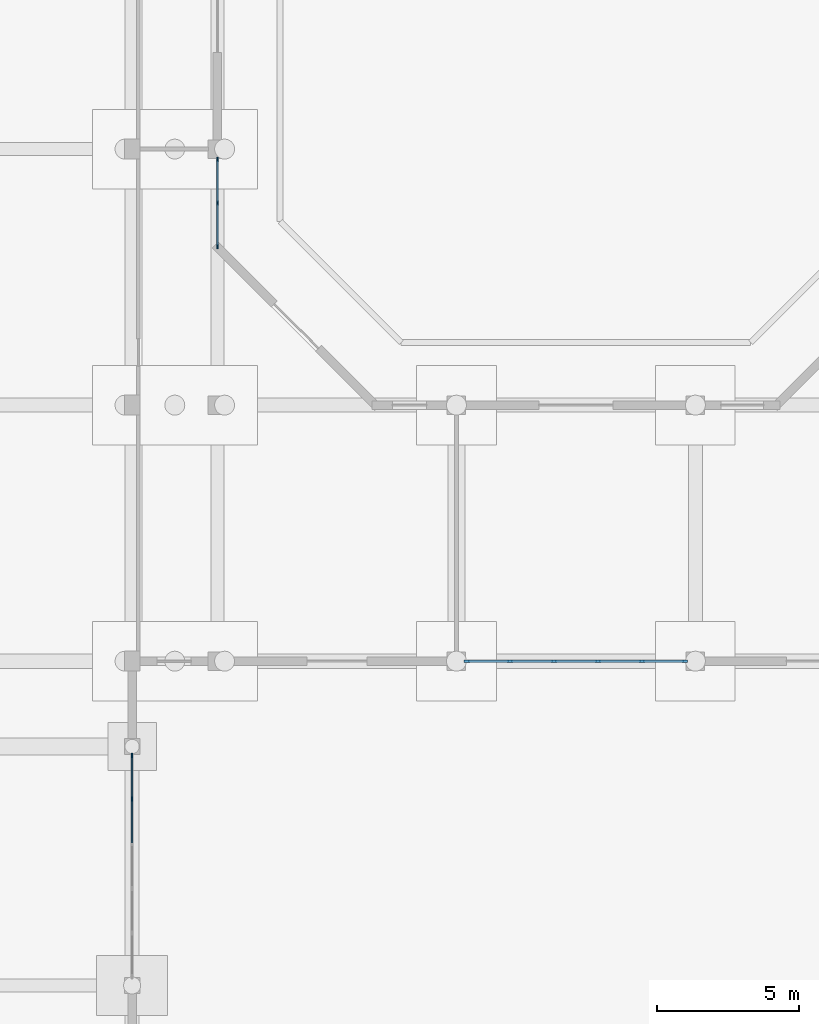
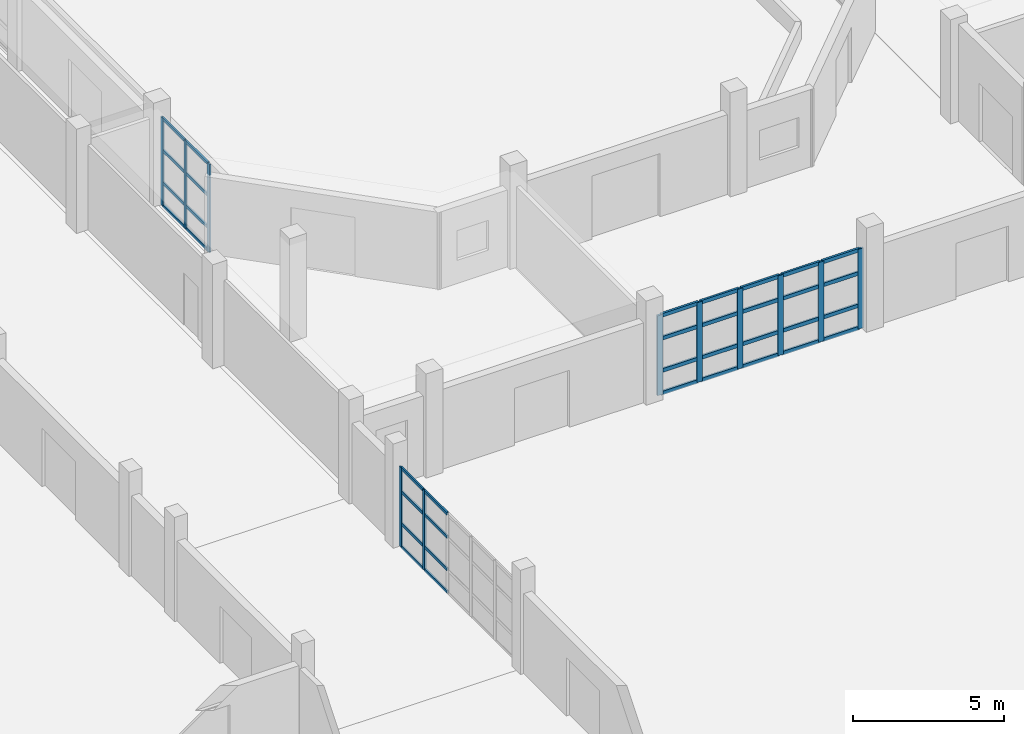
# One storey, part 18 of 88: 47 members, 3 elements without a shape of their own.
"""IFC4 building model written with IfcOpenShell, lengths in metres."""

import ifcopenshell
import ifcopenshell.guid

model = None  # the IFC model being written
_history = None  # IfcOwnerHistory: only IFC2X3 demands one
_inside = {}  # id of a spatial element -> (the spatial element, [elements in it])
_under = {}  # id of a project, library or spatial element -> (it, [spatial elements below it])
_declared = {}  # id of a project -> (the project, [libraries it declares])
_typed = {}  # id of a type object -> (the type object, [elements of that type])
_made_of = {}  # id of a material, layer set ... -> (it, [elements and type objects made of it])


def new_model(schema):
    """Start an empty IFC model of exactly this schema.

    Asked for "IFC4X3", IfcOpenShell would pick the latest addendum, in which some entities
    have other attributes; the version numbers below select the first issue.
    IFC2X3 requires an IfcOwnerHistory on every rooted entity: one is made here for all.
    """
    global model, _history
    if schema == "IFC4X3":
        model = ifcopenshell.file(schema_version=(4, 3, 0, 0))
    else:
        model = ifcopenshell.file(schema=schema)
    _inside.clear()
    _under.clear()
    _declared.clear()
    _typed.clear()
    _made_of.clear()
    _history = None
    if model.schema == "IFC2X3":
        org = make("IfcOrganization", Name="unknown")
        user = make(
            "IfcPersonAndOrganization",
            ThePerson=make("IfcPerson", FamilyName="unknown"),
            TheOrganization=org,
        )
        app = make(
            "IfcApplication",
            ApplicationDeveloper=org,
            Version="unknown",
            ApplicationFullName="unknown",
            ApplicationIdentifier="unknown",
        )
        _history = make(
            "IfcOwnerHistory",
            OwningUser=user,
            OwningApplication=app,
            ChangeAction="ADDED",
            CreationDate=0,
        )
    return model


def make(cls, **values):
    """One entity of the class cls with the attributes given. An attribute that is None is left unset."""
    return model.create_entity(
        cls, **{name: value for name, value in values.items() if value is not None}
    )


def rooted(cls, **values):
    """An entity with a GlobalId (a new one), such as an element, a storey or a relation."""
    return make(cls, GlobalId=ifcopenshell.guid.new(), OwnerHistory=_history, **values)


def si_unit(unit_type, name, prefix=None):
    """IfcSIUnit, for example si_unit("LENGTHUNIT", "METRE", prefix="MILLI")."""
    return make("IfcSIUnit", UnitType=unit_type, Prefix=prefix, Name=name)


def assignment(units):
    """IfcUnitAssignment: the units of a project."""
    return None if units is None else make("IfcUnitAssignment", Units=units)


def point(xyz):
    """IfcCartesianPoint."""
    return None if xyz is None else make("IfcCartesianPoint", Coordinates=xyz)


def direction(xyz):
    """IfcDirection."""
    return None if xyz is None else make("IfcDirection", DirectionRatios=xyz)


def frame(location, z_axis=None, x_axis=None):
    """IfcAxis2Placement3D, a coordinate frame: its origin and axes. An axis left out is left unset."""
    return make(
        "IfcAxis2Placement3D",
        Location=point(location),
        Axis=direction(z_axis),
        RefDirection=direction(x_axis),
    )


def frame_2d(location, x_axis=None):
    """IfcAxis2Placement2D, a coordinate frame in the plane: its origin and x axis."""
    return make(
        "IfcAxis2Placement2D", Location=point(location), RefDirection=direction(x_axis)
    )


def origin():
    """The frame at (0, 0, 0) with its axes left unset."""
    return frame((0.0, 0.0, 0.0))


def origin_2d():
    """The frame at (0, 0) in the plane with its x axis left unset."""
    return frame_2d((0.0, 0.0))


def place(relative_to, where):
    """IfcLocalPlacement: puts the frame where relative to a parent placement (None: the world)."""
    return make(
        "IfcLocalPlacement", PlacementRelTo=relative_to, RelativePlacement=where
    )


def context(
    kind, dimensions, precision=None, world=None, true_north=None, identifier=None
):
    """IfcGeometricRepresentationContext, for example the 3D "Model" context."""
    return make(
        "IfcGeometricRepresentationContext",
        ContextIdentifier=identifier,
        ContextType=kind,
        CoordinateSpaceDimension=dimensions,
        Precision=precision,
        WorldCoordinateSystem=world,
        TrueNorth=true_north,
    )


def subcontext(parent, identifier, kind, view, scale=None):
    """IfcGeometricRepresentationSubContext, for example "Body" below "Model"."""
    return make(
        "IfcGeometricRepresentationSubContext",
        ContextIdentifier=identifier,
        ContextType=kind,
        ParentContext=parent,
        TargetScale=scale,
        TargetView=view,
    )


def project(units=None, contexts=None):
    """IfcProject with its units and contexts."""
    return rooted(
        "IfcProject",
        Name="project",
        RepresentationContexts=contexts,
        UnitsInContext=assignment(units),
    )


def spatial(cls, under=None, at=None, **own):
    """A site, building, storey or space (cls), placed at a placement, below another one or the project."""
    s = rooted(cls, ObjectPlacement=at, **own)
    if under is not None:
        _under.setdefault(under.id(), (under, []))[1].append(s)
    return s


def profile(cls, at=None, kind="AREA", **sizes):
    """A parametric profile (cls). Its sizes go by their IFC names, for example OverallWidth=200.0."""
    return make(cls, ProfileType=kind, Position=at, **sizes)


def rectangle(**sizes):
    """IfcRectangleProfileDef."""
    return profile("IfcRectangleProfileDef", **sizes)


def extrude(swept, where, along, depth):
    """IfcExtrudedAreaSolid: the profile swept, set in the frame where, extruded along a direction by depth."""
    return make(
        "IfcExtrudedAreaSolid",
        SweptArea=swept,
        Position=where,
        ExtrudedDirection=direction(along),
        Depth=depth,
    )


def shape(context_of_items, identifier, shape_type, items):
    """IfcShapeRepresentation: the items that make up one representation, for example the "Body"."""
    return make(
        "IfcShapeRepresentation",
        ContextOfItems=context_of_items,
        RepresentationIdentifier=identifier,
        RepresentationType=shape_type,
        Items=items,
    )


def material(Name=None, Category=None):
    """IfcMaterial."""
    return make("IfcMaterial", Name=Name, Category=Category)


def material_profile(
    of_material, cross_section, Name=None, Category=None, Priority=None
):
    """IfcMaterialProfile: a cross section and its material."""
    return make(
        "IfcMaterialProfile",
        Name=Name,
        Material=of_material,
        Profile=cross_section,
        Priority=Priority,
        Category=Category,
    )


def profile_set(profiles, Name=None, composite=None):
    """IfcMaterialProfileSet."""
    return make(
        "IfcMaterialProfileSet",
        Name=Name,
        MaterialProfiles=profiles,
        CompositeProfile=composite,
    )


def made_of(thing, what):
    """Note that an element or type object is made of a material, layer set ...; save() writes the relation."""
    if what is not None:
        _made_of.setdefault(what.id(), (what, []))[1].append(thing)
    return thing


def type_object(cls, material=None, **own):
    """A type object (cls), such as IfcWallType, which elements share."""
    return made_of(rooted(cls, **own), material)


def element(
    cls,
    number,
    at=None,
    inside=None,
    cuts=None,
    type_object=None,
    material=None,
    context=None,
    identifier="Body",
    shape_type=None,
    held_by="IfcProductDefinitionShape",
    body=None,
    shapes=None,
    **own,
):
    """One element of the class cls, such as IfcWall. Its Tag is "e" and its number.

    at: its placement. inside: the storey or other place that contains it. cuts: it is an
    opening in that element (IfcRelVoidsElement). A single representation is given by context,
    identifier, shape_type and body (its items); several are given by shapes. held_by: the class
    of the entity that holds the representations. save() writes the other relations.
    """
    e = rooted(cls, Tag="e%d" % number, ObjectPlacement=at, **own)
    if body is not None:
        shapes = [shape(context, identifier, shape_type, body)]
    if shapes is not None:
        e.Representation = make(held_by, Representations=shapes)
    if inside is not None:
        _inside.setdefault(inside.id(), (inside, []))[1].append(e)
    if cuts is not None:
        rooted(
            "IfcRelVoidsElement", RelatingBuildingElement=cuts, RelatedOpeningElement=e
        )
    if type_object is not None:
        _typed.setdefault(type_object.id(), (type_object, []))[1].append(e)
    return made_of(e, material)


def aggregate(whole, parts):
    """IfcRelAggregates: a whole, such as a stair, and the parts it consists of."""
    return rooted("IfcRelAggregates", RelatingObject=whole, RelatedObjects=parts)


def save(model, path):
    """Write the relations noted so far, then the file.

    IfcRelAggregates (storeys below a building ...), IfcRelContainedInSpatialStructure (elements
    in a storey), IfcRelDefinesByType, IfcRelAssociatesMaterial and IfcRelDeclares: one each for
    every whole, place, type object, material and project.
    """
    for whole, parts in _under.values():
        aggregate(whole, parts)
    for where, things in _inside.values():
        rooted(
            "IfcRelContainedInSpatialStructure",
            RelatedElements=things,
            RelatingStructure=where,
        )
    for kind, things in _typed.values():
        rooted("IfcRelDefinesByType", RelatedObjects=things, RelatingType=kind)
    for what, things in _made_of.values():
        rooted("IfcRelAssociatesMaterial", RelatedObjects=things, RelatingMaterial=what)
    for by, libraries in _declared.values():
        rooted("IfcRelDeclares", RelatingContext=by, RelatedDefinitions=libraries)
    model.write(path)


model = new_model("IFC4")

# Units and contexts
model_context = context("Model", 3, precision=1e-05, world=origin(), true_north=direction((0.0, 1.0)))
body_context = subcontext(model_context, "Body", "Model", "MODEL_VIEW")
ifc_project = project(units=[si_unit("LENGTHUNIT", "METRE"), si_unit("AREAUNIT", "SQUARE_METRE"), si_unit("VOLUMEUNIT", "CUBIC_METRE"), si_unit("PLANEANGLEUNIT", "RADIAN"), si_unit("MASSUNIT", "GRAM", prefix="KILO")], contexts=[model_context])

# Site, building, storey
site_placement = place(None, origin())
site = spatial("IfcSite", under=ifc_project, at=site_placement, CompositionType="ELEMENT")
building_placement = place(site_placement, origin())
building = spatial("IfcBuilding", under=site, at=building_placement, Name="Vanh Quang Courtyard School", CompositionType="ELEMENT")
storey_placement = place(building_placement, origin())
storey = spatial("IfcBuildingStorey", under=building, at=storey_placement, Name="L00", CompositionType="ELEMENT", Elevation=0.0)

# Curtain wall, members
ifc_material_1 = material(Name="Thermally broken aluminium unitised curtain wall", Category="aluminium")
curtain_wall_type_1 = type_object("IfcCurtainWallType", Name="CW-SYS-01", PredefinedType="NOTDEFINED", material=ifc_material_1)
curtain_wall_1_placement = place(storey_placement, origin())
curtain_wall_1 = element("IfcCurtainWall", 1, at=curtain_wall_1_placement, inside=storey, type_object=curtain_wall_type_1, Name="Curtain Wall CW-01 (L00)", PredefinedType="NOTDEFINED")
ifc_material_2 = material(Name="Anodised aluminium 6063-T6", Category="aluminium")
ifc_material_profile_1 = material_profile(ifc_material_2, rectangle(XDim=0.06005859375, YDim=0.159912109375, at=origin_2d()), Name="ALU-MUL 60x160")
ifc_profile_set_1 = profile_set([ifc_material_profile_1], Name="Anodised aluminium 6063-T6")
member_type_1 = type_object("IfcMemberType", Name="CW-MUL-60x160", PredefinedType="MULLION", material=ifc_profile_set_1)
member_1_placement = place(storey_placement, frame((37.800048828125, 29.0869140625, 0.0), z_axis=(0.0, 0.0, 1.0), x_axis=(1.0, 0.0, 0.0)))
member_1 = element("IfcMember", 2, at=member_1_placement, type_object=member_type_1, Name="CW-01 mullion 1", PredefinedType="MULLION", context=body_context, shape_type="SweptSolid", body=[
    extrude(rectangle(XDim=0.06005859375, YDim=0.159912109375, at=origin_2d()), origin(), (0.0, 0.0, 1.0), 3.219970703125),
])
member_2_placement = place(storey_placement, frame((37.800048828125, 27.55029296875, 0.0), z_axis=(0.0, 0.0, 1.0), x_axis=(1.0, 0.0, 0.0)))
member_2 = element("IfcMember", 3, at=member_2_placement, type_object=member_type_1, Name="CW-01 mullion 2", PredefinedType="MULLION", context=body_context, shape_type="SweptSolid", body=[
    extrude(rectangle(XDim=0.06005859375, YDim=0.159912109375, at=origin_2d()), origin(), (0.0, 0.0, 1.0), 3.219970703125),
])

curtain_wall_type_2 = type_object("IfcCurtainWallType", Name="CW-SYS-16", PredefinedType="NOTDEFINED", material=ifc_material_1)
curtain_wall_2_placement = place(storey_placement, origin())
curtain_wall_2 = element("IfcCurtainWall", 4, at=curtain_wall_2_placement, inside=storey, type_object=curtain_wall_type_2, Name="Curtain Wall CW-16 (L00)", PredefinedType="NOTDEFINED")
member_3_placement = place(storey_placement, frame((40.800048828125, 50.037109375, 0.0), z_axis=(0.0, 0.0, 1.0), x_axis=(1.0, 0.0, 0.0)))
member_3 = element("IfcMember", 5, at=member_3_placement, type_object=member_type_1, Name="CW-16 mullion 1", PredefinedType="MULLION", context=body_context, shape_type="SweptSolid", body=[
    extrude(rectangle(XDim=0.06005859375, YDim=0.159912109375, at=origin_2d()), origin(), (0.0, 0.0, 1.0), 3.56005859375),
])
member_4_placement = place(storey_placement, frame((40.800048828125, 48.505615234375, 0.0), z_axis=(0.0, 0.0, 1.0), x_axis=(1.0, 0.0, 0.0)))
member_4 = element("IfcMember", 6, at=member_4_placement, type_object=member_type_1, Name="CW-16 mullion 2", PredefinedType="MULLION", context=body_context, shape_type="SweptSolid", body=[
    extrude(rectangle(XDim=0.06005859375, YDim=0.159912109375, at=origin_2d()), origin(), (0.0, 0.0, 1.0), 3.56005859375),
])
member_5_placement = place(storey_placement, frame((40.800048828125, 46.97412109375, 0.0), z_axis=(0.0, 0.0, 1.0), x_axis=(1.0, 0.0, 0.0)))
member_5 = element("IfcMember", 7, at=member_5_placement, type_object=member_type_1, Name="CW-16 mullion 3", PredefinedType="MULLION", context=body_context, shape_type="SweptSolid", body=[
    extrude(rectangle(XDim=0.06005859375, YDim=0.159912109375, at=origin_2d()), origin(), (0.0, 0.0, 1.0), 3.56005859375),
])

curtain_wall_type_3 = type_object("IfcCurtainWallType", Name="CW-SYS-02", PredefinedType="NOTDEFINED", material=ifc_material_1)
curtain_wall_3_placement = place(storey_placement, origin())
curtain_wall_3 = element("IfcCurtainWall", 8, at=curtain_wall_3_placement, inside=storey, type_object=curtain_wall_type_3, Name="Curtain Wall CW-02 (L00)", PredefinedType="NOTDEFINED")
ifc_material_profile_2 = material_profile(ifc_material_2, rectangle(XDim=0.080078125, YDim=0.199951171875, at=origin_2d()), Name="ALU-MUL 80x200")
ifc_profile_set_2 = profile_set([ifc_material_profile_2], Name="Anodised aluminium 6063-T6")
member_type_2 = type_object("IfcMemberType", Name="CW-MUL-80x200", PredefinedType="MULLION", material=ifc_profile_set_2)
member_6_placement = place(storey_placement, frame((57.22705078125, 32.39990234375, 0.0), z_axis=(0.0, 0.0, 1.0), x_axis=(0.0, -1.0, 0.0)))
member_6 = element("IfcMember", 9, at=member_6_placement, type_object=member_type_2, Name="CW-02 mullion 1", PredefinedType="MULLION", context=body_context, shape_type="SweptSolid", body=[
    extrude(rectangle(XDim=0.080078125, YDim=0.199951171875, at=origin_2d()), origin(), (0.0, 0.0, 1.0), 3.219970703125),
])
member_7_placement = place(storey_placement, frame((55.72021484375, 32.39990234375, 0.0), z_axis=(0.0, 0.0, 1.0), x_axis=(0.0, -1.0, 0.0)))
member_7 = element("IfcMember", 10, at=member_7_placement, type_object=member_type_2, Name="CW-02 mullion 2", PredefinedType="MULLION", context=body_context, shape_type="SweptSolid", body=[
    extrude(rectangle(XDim=0.080078125, YDim=0.199951171875, at=origin_2d()), origin(), (0.0, 0.0, 1.0), 3.219970703125),
])
member_8_placement = place(storey_placement, frame((54.17333984375, 32.39990234375, 0.0), z_axis=(0.0, 0.0, 1.0), x_axis=(0.0, -1.0, 0.0)))
member_8 = element("IfcMember", 11, at=member_8_placement, type_object=member_type_2, Name="CW-02 mullion 3", PredefinedType="MULLION", context=body_context, shape_type="SweptSolid", body=[
    extrude(rectangle(XDim=0.080078125, YDim=0.199951171875, at=origin_2d()), origin(), (0.0, 0.0, 1.0), 3.219970703125),
])
member_9_placement = place(storey_placement, frame((52.626708984375, 32.39990234375, 0.0), z_axis=(0.0, 0.0, 1.0), x_axis=(0.0, -1.0, 0.0)))
member_9 = element("IfcMember", 12, at=member_9_placement, type_object=member_type_2, Name="CW-02 mullion 4", PredefinedType="MULLION", context=body_context, shape_type="SweptSolid", body=[
    extrude(rectangle(XDim=0.080078125, YDim=0.199951171875, at=origin_2d()), origin(), (0.0, 0.0, 1.0), 3.219970703125),
])
member_10_placement = place(storey_placement, frame((51.079833984375, 32.39990234375, 0.0), z_axis=(0.0, 0.0, 1.0), x_axis=(0.0, -1.0, 0.0)))
member_10 = element("IfcMember", 13, at=member_10_placement, type_object=member_type_2, Name="CW-02 mullion 5", PredefinedType="MULLION", context=body_context, shape_type="SweptSolid", body=[
    extrude(rectangle(XDim=0.080078125, YDim=0.199951171875, at=origin_2d()), origin(), (0.0, 0.0, 1.0), 3.219970703125),
])
member_11_placement = place(storey_placement, frame((49.572998046875, 32.39990234375, 0.0), z_axis=(0.0, 0.0, 1.0), x_axis=(0.0, -1.0, 0.0)))
member_11 = element("IfcMember", 14, at=member_11_placement, type_object=member_type_2, Name="CW-02 mullion 6", PredefinedType="MULLION", context=body_context, shape_type="SweptSolid", body=[
    extrude(rectangle(XDim=0.080078125, YDim=0.199951171875, at=origin_2d()), origin(), (0.0, 0.0, 1.0), 3.219970703125),
])

# Member
ifc_material_profile_3 = material_profile(ifc_material_2, rectangle(XDim=0.06005859375, YDim=0.1201171875, at=origin_2d()), Name="ALU-TRN 60x120")
ifc_profile_set_3 = profile_set([ifc_material_profile_3], Name="Anodised aluminium 6063-T6")
member_type_3 = type_object("IfcMemberType", Name="CW-TRN-60x120", PredefinedType="USERDEFINED", material=ifc_profile_set_3)
member_12_placement = place(storey_placement, frame((37.800048828125, 29.056884765625, 0.030029296875), z_axis=(0.0, -1.0, 0.0), x_axis=(1.0, 0.0, 0.0)))
member_12 = element("IfcMember", 15, at=member_12_placement, type_object=member_type_3, Name="CW-01 transom 1.1", ObjectType="TRANSOM", PredefinedType="USERDEFINED", context=body_context, shape_type="SweptSolid", body=[
    extrude(rectangle(XDim=0.06005859375, YDim=0.1201171875, at=origin_2d()), origin(), (0.0, 0.0, 1.0), 1.476806640625),
])

member_13_placement = place(storey_placement, frame((37.800048828125, 29.056884765625, 0.949951171875), z_axis=(0.0, -1.0, 0.0), x_axis=(1.0, 0.0, 0.0)))
member_13 = element("IfcMember", 16, at=member_13_placement, type_object=member_type_3, Name="CW-01 transom 1.2", ObjectType="TRANSOM", PredefinedType="USERDEFINED", context=body_context, shape_type="SweptSolid", body=[
    extrude(rectangle(XDim=0.06005859375, YDim=0.1201171875, at=origin_2d()), origin(), (0.0, 0.0, 1.0), 1.476806640625),
])

member_14_placement = place(storey_placement, frame((37.800048828125, 29.056884765625, 2.25), z_axis=(0.0, -1.0, 0.0), x_axis=(1.0, 0.0, 0.0)))
member_14 = element("IfcMember", 17, at=member_14_placement, type_object=member_type_3, Name="CW-01 transom 1.3", ObjectType="TRANSOM", PredefinedType="USERDEFINED", context=body_context, shape_type="SweptSolid", body=[
    extrude(rectangle(XDim=0.06005859375, YDim=0.1201171875, at=origin_2d()), origin(), (0.0, 0.0, 1.0), 1.476806640625),
])

member_15_placement = place(storey_placement, frame((37.800048828125, 29.056884765625, 3.18994140625), z_axis=(0.0, -1.0, 0.0), x_axis=(1.0, 0.0, 0.0)))
member_15 = element("IfcMember", 18, at=member_15_placement, type_object=member_type_3, Name="CW-01 transom 1.4", ObjectType="TRANSOM", PredefinedType="USERDEFINED", context=body_context, shape_type="SweptSolid", body=[
    extrude(rectangle(XDim=0.06005859375, YDim=0.1201171875, at=origin_2d()), origin(), (0.0, 0.0, 1.0), 1.476806640625),
])

member_16_placement = place(storey_placement, frame((37.800048828125, 27.520263671875, 0.030029296875), z_axis=(0.0, -1.0, 0.0), x_axis=(1.0, 0.0, 0.0)))
member_16 = element("IfcMember", 19, at=member_16_placement, type_object=member_type_3, Name="CW-01 transom 2.1", ObjectType="TRANSOM", PredefinedType="USERDEFINED", context=body_context, shape_type="SweptSolid", body=[
    extrude(rectangle(XDim=0.06005859375, YDim=0.1201171875, at=origin_2d()), origin(), (0.0, 0.0, 1.0), 1.5068359375),
])

member_17_placement = place(storey_placement, frame((37.800048828125, 27.520263671875, 0.949951171875), z_axis=(0.0, -1.0, 0.0), x_axis=(1.0, 0.0, 0.0)))
member_17 = element("IfcMember", 20, at=member_17_placement, type_object=member_type_3, Name="CW-01 transom 2.2", ObjectType="TRANSOM", PredefinedType="USERDEFINED", context=body_context, shape_type="SweptSolid", body=[
    extrude(rectangle(XDim=0.06005859375, YDim=0.1201171875, at=origin_2d()), origin(), (0.0, 0.0, 1.0), 1.5068359375),
])

member_18_placement = place(storey_placement, frame((37.800048828125, 27.520263671875, 2.25), z_axis=(0.0, -1.0, 0.0), x_axis=(1.0, 0.0, 0.0)))
member_18 = element("IfcMember", 21, at=member_18_placement, type_object=member_type_3, Name="CW-01 transom 2.3", ObjectType="TRANSOM", PredefinedType="USERDEFINED", context=body_context, shape_type="SweptSolid", body=[
    extrude(rectangle(XDim=0.06005859375, YDim=0.1201171875, at=origin_2d()), origin(), (0.0, 0.0, 1.0), 1.5068359375),
])

member_19_placement = place(storey_placement, frame((37.800048828125, 27.520263671875, 3.18994140625), z_axis=(0.0, -1.0, 0.0), x_axis=(1.0, 0.0, 0.0)))
member_19 = element("IfcMember", 22, at=member_19_placement, type_object=member_type_3, Name="CW-01 transom 2.4", ObjectType="TRANSOM", PredefinedType="USERDEFINED", context=body_context, shape_type="SweptSolid", body=[
    extrude(rectangle(XDim=0.06005859375, YDim=0.1201171875, at=origin_2d()), origin(), (0.0, 0.0, 1.0), 1.5068359375),
])

aggregate(curtain_wall_1, [member_1, member_2, member_12, member_13, member_14, member_15, member_16, member_17, member_18, member_19])

member_20_placement = place(storey_placement, frame((40.800048828125, 50.007080078125, 0.030029296875), z_axis=(0.0, -1.0, 0.0), x_axis=(1.0, 0.0, 0.0)))
member_20 = element("IfcMember", 23, at=member_20_placement, type_object=member_type_3, Name="CW-16 transom 1.1", ObjectType="TRANSOM", PredefinedType="USERDEFINED", context=body_context, shape_type="SweptSolid", body=[
    extrude(rectangle(XDim=0.06005859375, YDim=0.1201171875, at=origin_2d()), origin(), (0.0, 0.0, 1.0), 1.4716796875),
])

member_21_placement = place(storey_placement, frame((40.800048828125, 50.007080078125, 0.949951171875), z_axis=(0.0, -1.0, 0.0), x_axis=(1.0, 0.0, 0.0)))
member_21 = element("IfcMember", 24, at=member_21_placement, type_object=member_type_3, Name="CW-16 transom 1.2", ObjectType="TRANSOM", PredefinedType="USERDEFINED", context=body_context, shape_type="SweptSolid", body=[
    extrude(rectangle(XDim=0.06005859375, YDim=0.1201171875, at=origin_2d()), origin(), (0.0, 0.0, 1.0), 1.4716796875),
])

member_22_placement = place(storey_placement, frame((40.800048828125, 50.007080078125, 2.25), z_axis=(0.0, -1.0, 0.0), x_axis=(1.0, 0.0, 0.0)))
member_22 = element("IfcMember", 25, at=member_22_placement, type_object=member_type_3, Name="CW-16 transom 1.3", ObjectType="TRANSOM", PredefinedType="USERDEFINED", context=body_context, shape_type="SweptSolid", body=[
    extrude(rectangle(XDim=0.06005859375, YDim=0.1201171875, at=origin_2d()), origin(), (0.0, 0.0, 1.0), 1.4716796875),
])

member_23_placement = place(storey_placement, frame((40.800048828125, 50.007080078125, 3.530029296875), z_axis=(0.0, -1.0, 0.0), x_axis=(1.0, 0.0, 0.0)))
member_23 = element("IfcMember", 26, at=member_23_placement, type_object=member_type_3, Name="CW-16 transom 1.4", ObjectType="TRANSOM", PredefinedType="USERDEFINED", context=body_context, shape_type="SweptSolid", body=[
    extrude(rectangle(XDim=0.06005859375, YDim=0.1201171875, at=origin_2d()), origin(), (0.0, 0.0, 1.0), 1.4716796875),
])

member_24_placement = place(storey_placement, frame((40.800048828125, 48.4755859375, 0.030029296875), z_axis=(0.0, -1.0, 0.0), x_axis=(1.0, 0.0, 0.0)))
member_24 = element("IfcMember", 27, at=member_24_placement, type_object=member_type_3, Name="CW-16 transom 2.1", ObjectType="TRANSOM", PredefinedType="USERDEFINED", context=body_context, shape_type="SweptSolid", body=[
    extrude(rectangle(XDim=0.06005859375, YDim=0.1201171875, at=origin_2d()), origin(), (0.0, 0.0, 1.0), 1.4716796875),
])

member_25_placement = place(storey_placement, frame((40.800048828125, 48.4755859375, 0.949951171875), z_axis=(0.0, -1.0, 0.0), x_axis=(1.0, 0.0, 0.0)))
member_25 = element("IfcMember", 28, at=member_25_placement, type_object=member_type_3, Name="CW-16 transom 2.2", ObjectType="TRANSOM", PredefinedType="USERDEFINED", context=body_context, shape_type="SweptSolid", body=[
    extrude(rectangle(XDim=0.06005859375, YDim=0.1201171875, at=origin_2d()), origin(), (0.0, 0.0, 1.0), 1.4716796875),
])

member_26_placement = place(storey_placement, frame((40.800048828125, 48.4755859375, 2.25), z_axis=(0.0, -1.0, 0.0), x_axis=(1.0, 0.0, 0.0)))
member_26 = element("IfcMember", 29, at=member_26_placement, type_object=member_type_3, Name="CW-16 transom 2.3", ObjectType="TRANSOM", PredefinedType="USERDEFINED", context=body_context, shape_type="SweptSolid", body=[
    extrude(rectangle(XDim=0.06005859375, YDim=0.1201171875, at=origin_2d()), origin(), (0.0, 0.0, 1.0), 1.4716796875),
])

member_27_placement = place(storey_placement, frame((40.800048828125, 48.4755859375, 3.530029296875), z_axis=(0.0, -1.0, 0.0), x_axis=(1.0, 0.0, 0.0)))
member_27 = element("IfcMember", 30, at=member_27_placement, type_object=member_type_3, Name="CW-16 transom 2.4", ObjectType="TRANSOM", PredefinedType="USERDEFINED", context=body_context, shape_type="SweptSolid", body=[
    extrude(rectangle(XDim=0.06005859375, YDim=0.1201171875, at=origin_2d()), origin(), (0.0, 0.0, 1.0), 1.4716796875),
])

aggregate(curtain_wall_2, [member_3, member_4, member_5, member_20, member_21, member_22, member_23, member_24, member_25, member_26, member_27])

ifc_material_profile_4 = material_profile(ifc_material_2, rectangle(XDim=0.080078125, YDim=0.14990234375, at=origin_2d()), Name="ALU-TRN 80x150")
ifc_profile_set_4 = profile_set([ifc_material_profile_4], Name="Anodised aluminium 6063-T6")
member_type_4 = type_object("IfcMemberType", Name="CW-TRN-80x150", PredefinedType="USERDEFINED", material=ifc_profile_set_4)
member_28_placement = place(storey_placement, frame((57.18701171875, 32.39990234375, 0.0400390625), z_axis=(-1.0, 0.0, 0.0), x_axis=(0.0, -1.0, 0.0)))
member_28 = element("IfcMember", 31, at=member_28_placement, type_object=member_type_4, Name="CW-02 transom 1.1", ObjectType="TRANSOM", PredefinedType="USERDEFINED", context=body_context, shape_type="SweptSolid", body=[
    extrude(rectangle(XDim=0.080078125, YDim=0.14990234375, at=origin_2d()), origin(), (0.0, 0.0, 1.0), 1.4267578125),
])

member_29_placement = place(storey_placement, frame((57.18701171875, 32.39990234375, 0.949951171875), z_axis=(-1.0, 0.0, 0.0), x_axis=(0.0, -1.0, 0.0)))
member_29 = element("IfcMember", 32, at=member_29_placement, type_object=member_type_4, Name="CW-02 transom 1.2", ObjectType="TRANSOM", PredefinedType="USERDEFINED", context=body_context, shape_type="SweptSolid", body=[
    extrude(rectangle(XDim=0.080078125, YDim=0.14990234375, at=origin_2d()), origin(), (0.0, 0.0, 1.0), 1.4267578125),
])

member_30_placement = place(storey_placement, frame((57.18701171875, 32.39990234375, 2.25), z_axis=(-1.0, 0.0, 0.0), x_axis=(0.0, -1.0, 0.0)))
member_30 = element("IfcMember", 33, at=member_30_placement, type_object=member_type_4, Name="CW-02 transom 1.3", ObjectType="TRANSOM", PredefinedType="USERDEFINED", context=body_context, shape_type="SweptSolid", body=[
    extrude(rectangle(XDim=0.080078125, YDim=0.14990234375, at=origin_2d()), origin(), (0.0, 0.0, 1.0), 1.4267578125),
])

member_31_placement = place(storey_placement, frame((57.18701171875, 32.39990234375, 3.179931640625), z_axis=(-1.0, 0.0, 0.0), x_axis=(0.0, -1.0, 0.0)))
member_31 = element("IfcMember", 34, at=member_31_placement, type_object=member_type_4, Name="CW-02 transom 1.4", ObjectType="TRANSOM", PredefinedType="USERDEFINED", context=body_context, shape_type="SweptSolid", body=[
    extrude(rectangle(XDim=0.080078125, YDim=0.14990234375, at=origin_2d()), origin(), (0.0, 0.0, 1.0), 1.4267578125),
])

member_32_placement = place(storey_placement, frame((55.68017578125, 32.39990234375, 0.0400390625), z_axis=(-1.0, 0.0, 0.0), x_axis=(0.0, -1.0, 0.0)))
member_32 = element("IfcMember", 35, at=member_32_placement, type_object=member_type_4, Name="CW-02 transom 2.1", ObjectType="TRANSOM", PredefinedType="USERDEFINED", context=body_context, shape_type="SweptSolid", body=[
    extrude(rectangle(XDim=0.080078125, YDim=0.14990234375, at=origin_2d()), origin(), (0.0, 0.0, 1.0), 1.466796875),
])

member_33_placement = place(storey_placement, frame((55.68017578125, 32.39990234375, 0.949951171875), z_axis=(-1.0, 0.0, 0.0), x_axis=(0.0, -1.0, 0.0)))
member_33 = element("IfcMember", 36, at=member_33_placement, type_object=member_type_4, Name="CW-02 transom 2.2", ObjectType="TRANSOM", PredefinedType="USERDEFINED", context=body_context, shape_type="SweptSolid", body=[
    extrude(rectangle(XDim=0.080078125, YDim=0.14990234375, at=origin_2d()), origin(), (0.0, 0.0, 1.0), 1.466796875),
])

member_34_placement = place(storey_placement, frame((55.68017578125, 32.39990234375, 2.25), z_axis=(-1.0, 0.0, 0.0), x_axis=(0.0, -1.0, 0.0)))
member_34 = element("IfcMember", 37, at=member_34_placement, type_object=member_type_4, Name="CW-02 transom 2.3", ObjectType="TRANSOM", PredefinedType="USERDEFINED", context=body_context, shape_type="SweptSolid", body=[
    extrude(rectangle(XDim=0.080078125, YDim=0.14990234375, at=origin_2d()), origin(), (0.0, 0.0, 1.0), 1.466796875),
])

member_35_placement = place(storey_placement, frame((55.68017578125, 32.39990234375, 3.179931640625), z_axis=(-1.0, 0.0, 0.0), x_axis=(0.0, -1.0, 0.0)))
member_35 = element("IfcMember", 38, at=member_35_placement, type_object=member_type_4, Name="CW-02 transom 2.4", ObjectType="TRANSOM", PredefinedType="USERDEFINED", context=body_context, shape_type="SweptSolid", body=[
    extrude(rectangle(XDim=0.080078125, YDim=0.14990234375, at=origin_2d()), origin(), (0.0, 0.0, 1.0), 1.466796875),
])

member_36_placement = place(storey_placement, frame((54.13330078125, 32.39990234375, 0.0400390625), z_axis=(-1.0, 0.0, 0.0), x_axis=(0.0, -1.0, 0.0)))
member_36 = element("IfcMember", 39, at=member_36_placement, type_object=member_type_4, Name="CW-02 transom 3.1", ObjectType="TRANSOM", PredefinedType="USERDEFINED", context=body_context, shape_type="SweptSolid", body=[
    extrude(rectangle(XDim=0.080078125, YDim=0.14990234375, at=origin_2d()), origin(), (0.0, 0.0, 1.0), 1.466796875),
])

member_37_placement = place(storey_placement, frame((54.13330078125, 32.39990234375, 0.949951171875), z_axis=(-1.0, 0.0, 0.0), x_axis=(0.0, -1.0, 0.0)))
member_37 = element("IfcMember", 40, at=member_37_placement, type_object=member_type_4, Name="CW-02 transom 3.2", ObjectType="TRANSOM", PredefinedType="USERDEFINED", context=body_context, shape_type="SweptSolid", body=[
    extrude(rectangle(XDim=0.080078125, YDim=0.14990234375, at=origin_2d()), origin(), (0.0, 0.0, 1.0), 1.466796875),
])

member_38_placement = place(storey_placement, frame((54.13330078125, 32.39990234375, 2.25), z_axis=(-1.0, 0.0, 0.0), x_axis=(0.0, -1.0, 0.0)))
member_38 = element("IfcMember", 41, at=member_38_placement, type_object=member_type_4, Name="CW-02 transom 3.3", ObjectType="TRANSOM", PredefinedType="USERDEFINED", context=body_context, shape_type="SweptSolid", body=[
    extrude(rectangle(XDim=0.080078125, YDim=0.14990234375, at=origin_2d()), origin(), (0.0, 0.0, 1.0), 1.466796875),
])

member_39_placement = place(storey_placement, frame((54.13330078125, 32.39990234375, 3.179931640625), z_axis=(-1.0, 0.0, 0.0), x_axis=(0.0, -1.0, 0.0)))
member_39 = element("IfcMember", 42, at=member_39_placement, type_object=member_type_4, Name="CW-02 transom 3.4", ObjectType="TRANSOM", PredefinedType="USERDEFINED", context=body_context, shape_type="SweptSolid", body=[
    extrude(rectangle(XDim=0.080078125, YDim=0.14990234375, at=origin_2d()), origin(), (0.0, 0.0, 1.0), 1.466796875),
])

member_40_placement = place(storey_placement, frame((52.586669921875, 32.39990234375, 0.0400390625), z_axis=(-1.0, 0.0, 0.0), x_axis=(0.0, -1.0, 0.0)))
member_40 = element("IfcMember", 43, at=member_40_placement, type_object=member_type_4, Name="CW-02 transom 4.1", ObjectType="TRANSOM", PredefinedType="USERDEFINED", context=body_context, shape_type="SweptSolid", body=[
    extrude(rectangle(XDim=0.080078125, YDim=0.14990234375, at=origin_2d()), origin(), (0.0, 0.0, 1.0), 1.466796875),
])

member_41_placement = place(storey_placement, frame((52.586669921875, 32.39990234375, 0.949951171875), z_axis=(-1.0, 0.0, 0.0), x_axis=(0.0, -1.0, 0.0)))
member_41 = element("IfcMember", 44, at=member_41_placement, type_object=member_type_4, Name="CW-02 transom 4.2", ObjectType="TRANSOM", PredefinedType="USERDEFINED", context=body_context, shape_type="SweptSolid", body=[
    extrude(rectangle(XDim=0.080078125, YDim=0.14990234375, at=origin_2d()), origin(), (0.0, 0.0, 1.0), 1.466796875),
])

member_42_placement = place(storey_placement, frame((52.586669921875, 32.39990234375, 2.25), z_axis=(-1.0, 0.0, 0.0), x_axis=(0.0, -1.0, 0.0)))
member_42 = element("IfcMember", 45, at=member_42_placement, type_object=member_type_4, Name="CW-02 transom 4.3", ObjectType="TRANSOM", PredefinedType="USERDEFINED", context=body_context, shape_type="SweptSolid", body=[
    extrude(rectangle(XDim=0.080078125, YDim=0.14990234375, at=origin_2d()), origin(), (0.0, 0.0, 1.0), 1.466796875),
])

member_43_placement = place(storey_placement, frame((52.586669921875, 32.39990234375, 3.179931640625), z_axis=(-1.0, 0.0, 0.0), x_axis=(0.0, -1.0, 0.0)))
member_43 = element("IfcMember", 46, at=member_43_placement, type_object=member_type_4, Name="CW-02 transom 4.4", ObjectType="TRANSOM", PredefinedType="USERDEFINED", context=body_context, shape_type="SweptSolid", body=[
    extrude(rectangle(XDim=0.080078125, YDim=0.14990234375, at=origin_2d()), origin(), (0.0, 0.0, 1.0), 1.466796875),
])

member_44_placement = place(storey_placement, frame((51.039794921875, 32.39990234375, 0.0400390625), z_axis=(-1.0, 0.0, 0.0), x_axis=(0.0, -1.0, 0.0)))
member_44 = element("IfcMember", 47, at=member_44_placement, type_object=member_type_4, Name="CW-02 transom 5.1", ObjectType="TRANSOM", PredefinedType="USERDEFINED", context=body_context, shape_type="SweptSolid", body=[
    extrude(rectangle(XDim=0.080078125, YDim=0.14990234375, at=origin_2d()), origin(), (0.0, 0.0, 1.0), 1.4267578125),
])

member_45_placement = place(storey_placement, frame((51.039794921875, 32.39990234375, 0.949951171875), z_axis=(-1.0, 0.0, 0.0), x_axis=(0.0, -1.0, 0.0)))
member_45 = element("IfcMember", 48, at=member_45_placement, type_object=member_type_4, Name="CW-02 transom 5.2", ObjectType="TRANSOM", PredefinedType="USERDEFINED", context=body_context, shape_type="SweptSolid", body=[
    extrude(rectangle(XDim=0.080078125, YDim=0.14990234375, at=origin_2d()), origin(), (0.0, 0.0, 1.0), 1.4267578125),
])

member_46_placement = place(storey_placement, frame((51.039794921875, 32.39990234375, 2.25), z_axis=(-1.0, 0.0, 0.0), x_axis=(0.0, -1.0, 0.0)))
member_46 = element("IfcMember", 49, at=member_46_placement, type_object=member_type_4, Name="CW-02 transom 5.3", ObjectType="TRANSOM", PredefinedType="USERDEFINED", context=body_context, shape_type="SweptSolid", body=[
    extrude(rectangle(XDim=0.080078125, YDim=0.14990234375, at=origin_2d()), origin(), (0.0, 0.0, 1.0), 1.4267578125),
])

member_47_placement = place(storey_placement, frame((51.039794921875, 32.39990234375, 3.179931640625), z_axis=(-1.0, 0.0, 0.0), x_axis=(0.0, -1.0, 0.0)))
member_47 = element("IfcMember", 50, at=member_47_placement, type_object=member_type_4, Name="CW-02 transom 5.4", ObjectType="TRANSOM", PredefinedType="USERDEFINED", context=body_context, shape_type="SweptSolid", body=[
    extrude(rectangle(XDim=0.080078125, YDim=0.14990234375, at=origin_2d()), origin(), (0.0, 0.0, 1.0), 1.4267578125),
])

aggregate(curtain_wall_3, [member_6, member_7, member_8, member_9, member_10, member_11, member_28, member_29, member_30, member_31, member_32, member_33, member_34, member_35, member_36, member_37, member_38, member_39, member_40, member_41, member_42, member_43, member_44, member_45, member_46, member_47])

save(model, "model.ifc")
